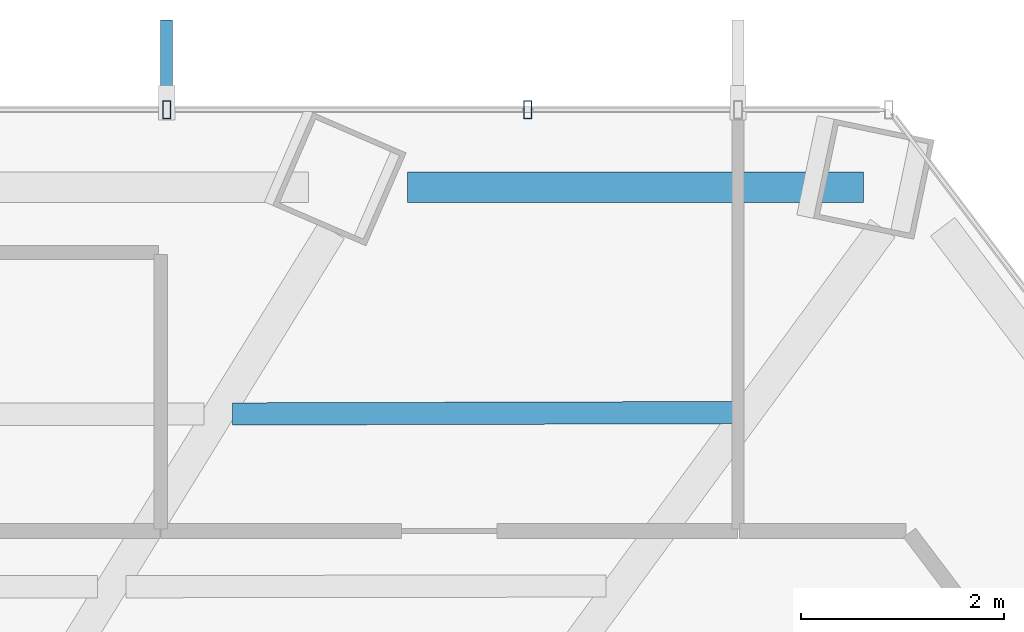
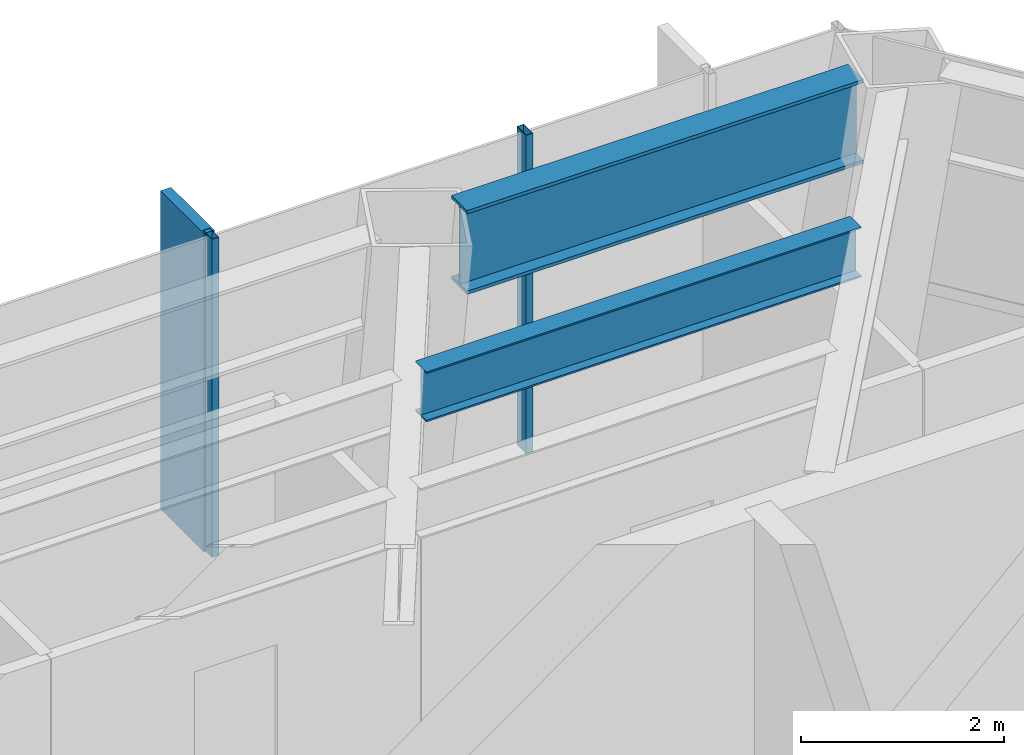
# One storey, part 16 of 26: 3 members, 2 beams, 1 element without a shape of its own.
"""IFC4 building model written with IfcOpenShell, lengths in metres."""

from ifc_helpers import new_model, si_unit, direction, frame, origin, origin_2d, place, context, subcontext, project, spatial, rectangle, hollow_rectangle, i_section, extrude, material, layer, layer_set, material_profile, profile_set, type_object, element, aggregate, save


model = new_model("IFC4")

# Units and contexts
model_context = context("Model", 3, precision=1e-05, world=origin(), true_north=direction((0.0, 1.0)))
body_context = subcontext(model_context, "Body", "Model", "MODEL_VIEW")
ifc_project = project(units=[si_unit("LENGTHUNIT", "METRE"), si_unit("AREAUNIT", "SQUARE_METRE"), si_unit("VOLUMEUNIT", "CUBIC_METRE"), si_unit("PLANEANGLEUNIT", "RADIAN"), si_unit("MASSUNIT", "GRAM", prefix="KILO")], contexts=[model_context])

# Site, building, storey
site_placement = place(None, origin())
site = spatial("IfcSite", under=ifc_project, at=site_placement, CompositionType="ELEMENT")
building_placement = place(site_placement, origin())
building = spatial("IfcBuilding", under=site, at=building_placement, Name="Zarrinselat Tower", CompositionType="ELEMENT")
storey_placement = place(building_placement, frame((0.0, 0.0, 35.699951171875)))
storey = spatial("IfcBuildingStorey", under=building, at=storey_placement, Name="L08", CompositionType="ELEMENT", Elevation=35.699951171875)

# Beams
ifc_material_1 = material(Name="Steel S460M", Category="steel")
ifc_material_profile_1 = material_profile(ifc_material_1, i_section(OverallWidth=0.302001953125, OverallDepth=1.008056640625, WebThickness=0.02099609375, FlangeThickness=0.0400390625, at=origin_2d()), Name="HEM 1000")
ifc_profile_set_1 = profile_set([ifc_material_profile_1], Name="Steel S460M")
beam_type_1 = type_object("IfcBeamType", Name="BM-HEM1000", PredefinedType="BEAM", material=ifc_profile_set_1)
beam_1_placement = place(storey_placement, frame((45.038330078125, 49.394287109375, 3.316162109375), z_axis=(1.0, 0.0, 0.0), x_axis=(0.0, 1.0, 0.0)))
element("IfcBeam", 1, at=beam_1_placement, inside=storey, type_object=beam_type_1, Name="L08 Perimeter Spandrel Girder SP01", PredefinedType="BEAM", context=body_context, shape_type="SweptSolid", body=[
    extrude(i_section(OverallWidth=0.302001953125, OverallDepth=1.008056640625, WebThickness=0.02099609375, FlangeThickness=0.0400390625, at=origin_2d()), origin(), (0.0, 0.0, 1.0), 4.5),
])
ifc_material_2 = material(Name="Steel S355J2", Category="steel")
ifc_material_profile_2 = material_profile(ifc_material_2, i_section(OverallWidth=0.219970703125, OverallDepth=0.60009765625, WebThickness=0.011962890625, FlangeThickness=0.01904296875, at=origin_2d()), Name="IPE 600")
ifc_profile_set_2 = profile_set([ifc_material_profile_2], Name="Steel S355J2")
beam_type_2 = type_object("IfcBeamType", Name="BM-IPE600", PredefinedType="JOIST", material=ifc_profile_set_2)
beam_2_placement = place(storey_placement, frame((43.30908203125, 47.156494140625, 3.52001953125), z_axis=(0.999996039215, 0.002814525688, 0.0), x_axis=(-0.002814525688, 0.999996039215, 0.0)))
element("IfcBeam", 2, at=beam_2_placement, inside=storey, type_object=beam_type_2, Name="L08 Composite Floor Joist 7-1", PredefinedType="JOIST", context=body_context, shape_type="SweptSolid", body=[
    extrude(i_section(OverallWidth=0.219970703125, OverallDepth=0.60009765625, WebThickness=0.011962890625, FlangeThickness=0.01904296875, at=origin_2d()), origin(), (0.0, 0.0, 1.0), 4.9443359375),
])

# Curtain wall, members
ifc_material_3 = material(Name="Extruded Aluminium Alloy EN AW-6063 T6", Category="aluminium")
ifc_layer = layer(ifc_material_3, 0.18505859375)
ifc_layer_set = layer_set([ifc_layer], Name="Extruded Aluminium Alloy EN AW-6063 T6")
curtain_wall_type = type_object("IfcCurtainWallType", Name="CWS-OFF", PredefinedType="NOTDEFINED", material=ifc_layer_set)
curtain_wall_placement = place(storey_placement, origin())
curtain_wall = element("IfcCurtainWall", 3, at=curtain_wall_placement, inside=storey, type_object=curtain_wall_type, Name="L08 Unitised Curtain Wall CW-L08-E01", PredefinedType="NOTDEFINED")
ifc_material_4 = material(Name="Extruded Aluminium Alloy EN AW-6063 T6", Category="aluminium")
ifc_material_profile_3 = material_profile(ifc_material_4, hollow_rectangle(XDim=0.080078125, YDim=0.179931640625, WallThickness=0.0048828125, at=origin_2d()), Name="RHS 180x80x5")
ifc_profile_set_3 = profile_set([ifc_material_profile_3], Name="Extruded Aluminium Alloy EN AW-6063 T6")
member_type_1 = type_object("IfcMemberType", Name="MEM-CW-MUL", PredefinedType="MULLION", material=ifc_profile_set_3)
member_1_placement = place(storey_placement, frame((46.224365234375, 50.1611328125, 0.0), z_axis=(0.0, 0.0, 1.0), x_axis=(-1.0, 0.0, 0.0)))
member_1 = element("IfcMember", 4, at=member_1_placement, type_object=member_type_1, Name="CW-L08-E01 Mullion 2", PredefinedType="MULLION", context=body_context, shape_type="SweptSolid", body=[
    extrude(hollow_rectangle(XDim=0.080078125, YDim=0.179931640625, WallThickness=0.0048828125, at=origin_2d()), origin(), (0.0, 0.0, 1.0), 3.820068359375),
])
member_2_placement = place(storey_placement, frame((42.659423828125, 50.1611328125, 0.0), z_axis=(0.0, 0.0, 1.0), x_axis=(-1.0, 0.0, 0.0)))
member_2 = element("IfcMember", 5, at=member_2_placement, type_object=member_type_1, Name="CW-L08-E01 Mullion 3", PredefinedType="MULLION", context=body_context, shape_type="SweptSolid", body=[
    extrude(hollow_rectangle(XDim=0.080078125, YDim=0.179931640625, WallThickness=0.0048828125, at=origin_2d()), origin(), (0.0, 0.0, 1.0), 3.820068359375),
])
ifc_material_5 = material(Name="Honed Cream Travertine Stone", Category="masonry")
ifc_material_profile_4 = material_profile(ifc_material_5, rectangle(XDim=0.1201171875, YDim=0.85009765625, at=origin_2d()), Name="FIN 850x120")
ifc_profile_set_4 = profile_set([ifc_material_profile_4], Name="Honed Cream Travertine Stone")
member_type_2 = type_object("IfcMemberType", Name="MEM-STONE-FIN", PredefinedType="USERDEFINED", material=ifc_profile_set_4)
member_3_placement = place(storey_placement, frame((42.659423828125, 50.62109375, 0.0), z_axis=(0.0, 0.0, 1.0), x_axis=(1.0, 0.0, 0.0)))
member_3 = element("IfcMember", 6, at=member_3_placement, type_object=member_type_2, Name="L08 Stone Shading Fin CW-L08-E01-03", ObjectType="FIN", PredefinedType="USERDEFINED", context=body_context, shape_type="SweptSolid", body=[
    extrude(rectangle(XDim=0.1201171875, YDim=0.85009765625, at=origin_2d()), origin(), (0.0, 0.0, 1.0), 3.820068359375),
])
aggregate(curtain_wall, [member_1, member_2, member_3])

save(model, "model.ifc")
